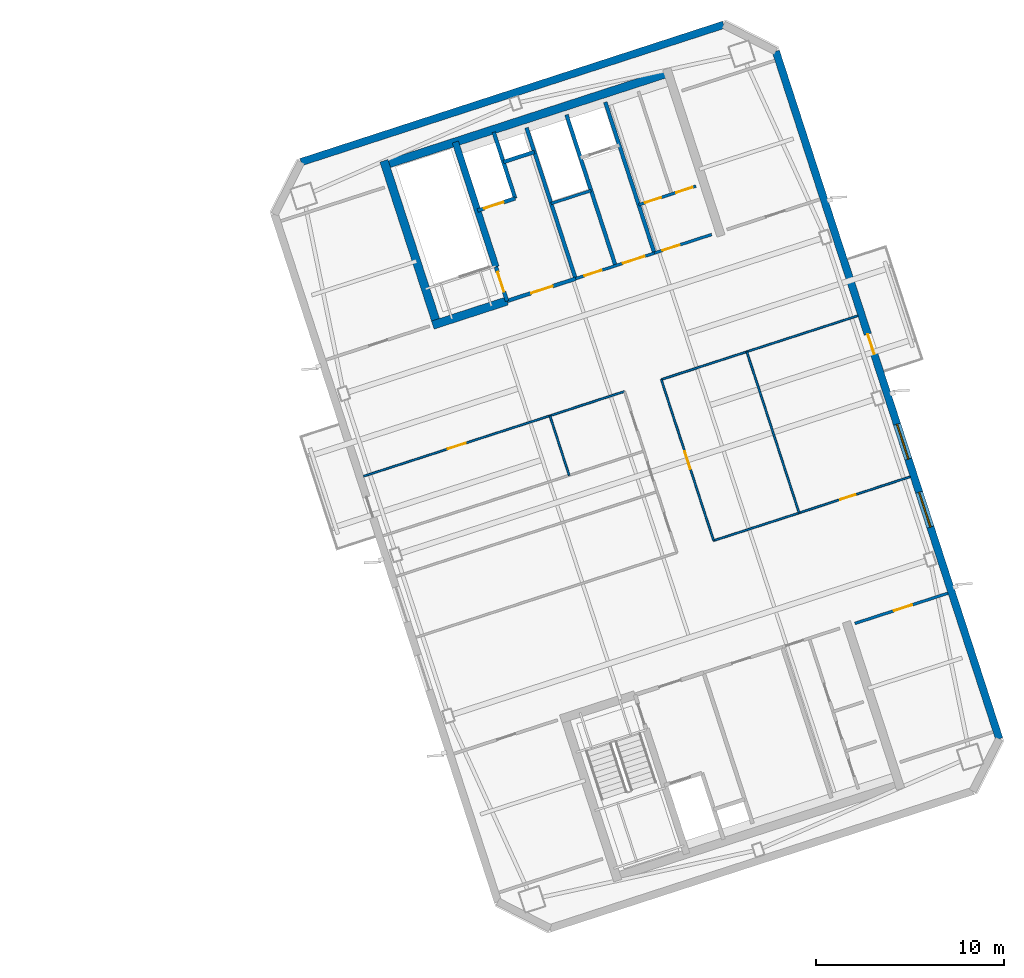
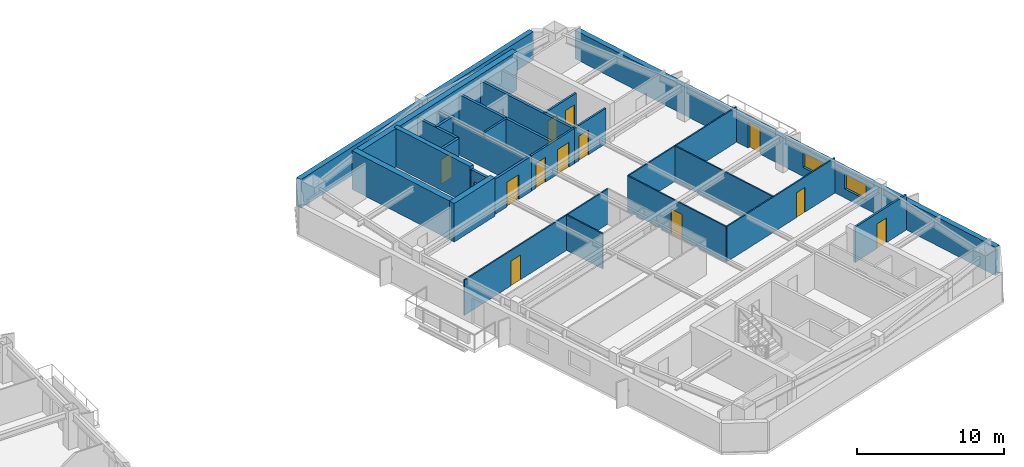
# One storey, part 9 of 17: 25 walls, 13 doors, 2 windows, 15 openings.
"""IFC4 building model written with IfcOpenShell, lengths in metres."""

from ifc_helpers import new_model, si_unit, direction, frame, frame_2d, origin, place, context, subcontext, project, spatial, rectangle, extrude, material, layer, layer_set, type_object, element, fill, save


model = new_model("IFC4")

# Units and contexts
model_context = context("Model", 3, precision=1e-05, world=origin(), true_north=direction((0.0, 1.0)))
body_context = subcontext(model_context, "Body", "Model", "MODEL_VIEW")
ifc_project = project(units=[si_unit("LENGTHUNIT", "METRE"), si_unit("AREAUNIT", "SQUARE_METRE"), si_unit("VOLUMEUNIT", "CUBIC_METRE"), si_unit("PLANEANGLEUNIT", "RADIAN"), si_unit("MASSUNIT", "GRAM", prefix="KILO")], contexts=[model_context])

# Site, building, storey
site_placement = place(None, origin())
site = spatial("IfcSite", under=ifc_project, at=site_placement, CompositionType="ELEMENT")
building_placement = place(site_placement, origin())
building = spatial("IfcBuilding", under=site, at=building_placement, Name="Qiaolan Cultural Towers", CompositionType="ELEMENT")
storey_placement = place(building_placement, frame((0.0, 0.0, 247.199951171875)))
storey = spatial("IfcBuildingStorey", under=building, at=storey_placement, Name="L67", CompositionType="ELEMENT", Elevation=247.199951171875)

# Walls
ifc_material_1 = material(Name="Concrete C50", Category="concrete")
ifc_layer_1 = layer(ifc_material_1, 0.35009765625)
ifc_layer_set_1 = layer_set([ifc_layer_1], Name="Concrete C50")
wall_type_1 = type_object("IfcWallType", Name="WL-CORE-350", PredefinedType="SHEAR", material=ifc_layer_set_1)
wall_1_placement = place(storey_placement, frame((82.513671875, 45.13134765625, 0.0), z_axis=(0.0, 0.0, 1.0), x_axis=(-0.308988790936, 0.951065679686, 0.0)))
element("IfcWall", 1, at=wall_1_placement, inside=storey, type_object=wall_type_1, Name="L67 T2-CN Stair Core Dividing Web", PredefinedType="SHEAR", context=body_context, shape_type="SweptSolid", body=[
    extrude(rectangle(XDim=6.97998046875, YDim=0.35009765625, at=frame_2d((3.489990234375, 0.0))), origin(), (0.0, 0.0, 1.0), 3.199951171875),
])
ifc_material_2 = material(Name="Concrete C50", Category="concrete")
ifc_layer_2 = layer(ifc_material_2, 0.449951171875)
ifc_layer_set_2 = layer_set([ifc_layer_2], Name="Concrete C50")
wall_type_2 = type_object("IfcWallType", Name="WL-CORE-450", PredefinedType="SHEAR", material=ifc_layer_set_2)
wall_2_placement = place(storey_placement, frame((76.414794921875, 50.489013671875, 0.0), z_axis=(0.0, 0.0, 1.0), x_axis=(0.951056810414, 0.309016089169, 0.0)))
element("IfcWall", 2, at=wall_2_placement, inside=storey, type_object=wall_type_2, Name="L67 T2-CN Outer Core Shear Wall", PredefinedType="SHEAR", context=body_context, shape_type="SweptSolid", body=[
    extrude(rectangle(XDim=16.25, YDim=0.449951171875, at=frame_2d((8.125, 0.0))), origin(), (0.0, 0.0, 1.0), 3.199951171875),
])
wall_3_placement = place(storey_placement, frame((79.4423828125, 41.899169921875, 0.0), z_axis=(0.0, 0.0, 1.0), x_axis=(-0.309035778627, 0.951050412717, 0.0)))
element("IfcWall", 3, at=wall_3_placement, inside=storey, type_object=wall_type_2, Name="L67 T2-CN West Core Shear Wall", PredefinedType="SHEAR", context=body_context, shape_type="SweptSolid", body=[
    extrude(rectangle(XDim=9.330078125, YDim=0.449951171875, at=frame_2d((4.6650390625, 0.0))), origin(), (0.0, 0.0, 1.0), 3.199951171875),
])
wall_4_placement = place(storey_placement, frame((79.15869140625, 42.04345703125, 0.0), z_axis=(0.0, 0.0, 1.0), x_axis=(0.951047485828, 0.309044785913, 0.0)))
element("IfcWall", 4, at=wall_4_placement, inside=storey, type_object=wall_type_2, Name="L67 T2-CN Stair Front Shear Wall", PredefinedType="SHEAR", context=body_context, shape_type="SweptSolid", body=[
    extrude(rectangle(XDim=4.14501953125, YDim=0.449951171875, at=frame_2d((2.072509765625, 0.0))), origin(), (0.0, 0.0, 1.0), 3.199951171875),
])
ifc_material_3 = material(Name="Precast Concrete C50 Honed Stone Pier", Category="masonry")
ifc_layer_3 = layer(ifc_material_3, 0.39990234375)
ifc_layer_set_3 = layer_set([ifc_layer_3], Name="Precast Concrete C50 Honed Stone Pier")
wall_type_3 = type_object("IfcWallType", Name="WL-EXT-PIER-400", PredefinedType="SOLIDWALL", material=ifc_layer_set_3)
wall_5_placement = place(storey_placement, frame((72.16455078125, 50.706298828125, 0.0), z_axis=(0.0, 0.0, 1.0), x_axis=(0.951058012937, 0.309012388148, 0.0)))
element("IfcWall", 5, at=wall_5_placement, inside=storey, type_object=wall_type_3, Name="L67 East Tower Precast Pier Facade Wall F3", PredefinedType="SOLIDWALL", context=body_context, shape_type="SweptSolid", body=[
    extrude(rectangle(XDim=23.60009765625, YDim=0.39990234375, at=frame_2d((11.800048828125, 0.0))), origin(), (0.0, 0.0, 1.0), 2.360107421875),
])

# Wall, openings, door, windows
wall_6_placement = place(storey_placement, frame((97.381591796875, 56.58642578125, 0.0), z_axis=(0.0, 0.0, 1.0), x_axis=(0.309016491071, -0.951056679828, 0.0)))
wall_6 = element("IfcWall", 6, at=wall_6_placement, inside=storey, type_object=wall_type_3, Name="L67 East Tower Precast Pier Facade Wall F5", PredefinedType="SOLIDWALL", context=body_context, shape_type="SweptSolid", body=[
    extrude(rectangle(XDim=38.39990234375, YDim=0.39990234375, at=frame_2d((19.199951171875, 0.0))), origin(), (0.0, 0.0, 1.0), 2.360107421875),
])
opening_1_placement = place(wall_6_placement, frame((24.625, 0.0, 0.75)))
opening_1 = element("IfcOpeningElement", 7, at=opening_1_placement, cuts=wall_6, Name="Opening W-06", PredefinedType="OPENING", context=body_context, shape_type="SweptSolid", body=[
    extrude(rectangle(XDim=1.949951171875, YDim=1.2099609375, at=frame_2d((0.97509765625, 0.60498046875))), frame((0.0, 0.2099609375, 0.0), z_axis=(0.0, -1.0, 0.0), x_axis=(1.0, 0.0, 0.0)), (0.0, 0.0, 1.0), 0.419921875),
])
opening_2_placement = place(wall_6_placement, frame((20.824951171875, 0.0, 0.75)))
opening_2 = element("IfcOpeningElement", 8, at=opening_2_placement, cuts=wall_6, Name="Opening W-06", PredefinedType="OPENING", context=body_context, shape_type="SweptSolid", body=[
    extrude(rectangle(XDim=1.949951171875, YDim=1.2099609375, at=frame_2d((0.97509765625, 0.60498046875))), frame((0.0, 0.2099609375, 0.0), z_axis=(0.0, -1.0, 0.0), x_axis=(1.0, 0.0, 0.0)), (0.0, 0.0, 1.0), 0.419921875),
])
opening_3_placement = place(wall_6_placement, frame((15.800048828125, 0.0, 0.0)))
opening_3 = element("IfcOpeningElement", 9, at=opening_3_placement, cuts=wall_6, Name="Opening BD-01", PredefinedType="OPENING", context=body_context, shape_type="SweptSolid", body=[
    extrude(rectangle(XDim=1.10009765625, YDim=2.14990234375, at=frame_2d((0.550048828125, 1.074951171875))), frame((0.0, 0.2099609375, 0.0), z_axis=(0.0, -1.0, 0.0), x_axis=(1.0, 0.0, 0.0)), (0.0, 0.0, 1.0), 0.419921875),
])
ifc_material_4 = material(Name="Thermally Broken Aluminium Glazed Terrace Door", Category="aluminium")
door_type_1 = type_object("IfcDoorType", Name="DR-BAL-1100", OperationType="NOTDEFINED", PredefinedType="DOOR", material=ifc_material_4)
door_1_placement = place(opening_3_placement, origin())
door_1 = element("IfcDoor", 10, at=door_1_placement, inside=storey, type_object=door_type_1, Name="L67 T2 East Tree Balcony Door", OperationType="SINGLE_SWING_RIGHT", OverallHeight=2.14990234375, OverallWidth=1.10009765625, PredefinedType="DOOR", context=body_context, shape_type="SweptSolid", body=[
    extrude(rectangle(XDim=1.10009765625, YDim=2.14990234375, at=frame_2d((0.550048828125, 1.074951171875))), frame((0.0, 0.02490234375, 0.0), z_axis=(0.0, -1.0, 0.0), x_axis=(1.0, 0.0, 0.0)), (0.0, 0.0, 1.0), 0.050048828125),
])
fill(opening_3, door_1)
ifc_material_5 = material(Name="Thermally Broken Aluminium Triple Low-E Glazing", Category="aluminium")
window_type = type_object("IfcWindowType", Name="WN-CHIC-1950", PartitioningType="SINGLE_PANEL", PredefinedType="WINDOW", material=ifc_material_5)
window_1_placement = place(opening_1_placement, origin())
window_1 = element("IfcWindow", 11, at=window_1_placement, inside=storey, type_object=window_type, Name="L67 T2 E Chicago Bay Window 1", OverallHeight=1.2099609375, OverallWidth=1.949951171875, PartitioningType="TRIPLE_PANEL_VERTICAL", PredefinedType="WINDOW", context=body_context, shape_type="SweptSolid", body=[
    extrude(rectangle(XDim=1.949951171875, YDim=1.2099609375, at=frame_2d((0.97509765625, 0.60498046875))), frame((0.0, 0.030029296875, 0.0), z_axis=(0.0, -1.0, 0.0), x_axis=(1.0, 0.0, 0.0)), (0.0, 0.0, 1.0), 0.06005859375),
])
fill(opening_1, window_1)
window_2_placement = place(opening_2_placement, origin())
window_2 = element("IfcWindow", 12, at=window_2_placement, inside=storey, type_object=window_type, Name="L67 T2 E Chicago Bay Window 2", OverallHeight=1.2099609375, OverallWidth=1.949951171875, PartitioningType="TRIPLE_PANEL_VERTICAL", PredefinedType="WINDOW", context=body_context, shape_type="SweptSolid", body=[
    extrude(rectangle(XDim=1.949951171875, YDim=1.2099609375, at=frame_2d((0.97509765625, 0.60498046875))), frame((0.0, 0.030029296875, 0.0), z_axis=(0.0, -1.0, 0.0), x_axis=(1.0, 0.0, 0.0)), (0.0, 0.0, 1.0), 0.06005859375),
])
fill(opening_2, window_2)

# Wall, opening, door
ifc_material_6 = material(Name="Concrete C35 Fire Wall", Category="concrete")
ifc_layer_4 = layer(ifc_material_6, 0.199951171875)
ifc_layer_set_4 = layer_set([ifc_layer_4], Name="Concrete C35 Fire Wall")
wall_type_4 = type_object("IfcWallType", Name="WL-FIRE-200", PredefinedType="PARTITIONING", material=ifc_layer_set_4)
wall_7_placement = place(storey_placement, frame((83.100830078125, 43.324462890625, 0.0), z_axis=(0.0, 0.0, 1.0), x_axis=(-0.309048298632, 0.951046344356, 0.0)))
wall_7 = element("IfcWall", 13, at=wall_7_placement, inside=storey, type_object=wall_type_4, Name="L67 T2-CN Smokeproof Stair Entry Wall", PredefinedType="PARTITIONING", context=body_context, shape_type="SweptSolid", body=[
    extrude(rectangle(XDim=1.89990234375, YDim=0.199951171875, at=frame_2d((0.949951171875, 0.0))), origin(), (0.0, 0.0, 1.0), 2.925048828125),
])
opening_4_placement = place(wall_7_placement, frame((0.52001953125, 0.0, 0.0)))
opening_4 = element("IfcOpeningElement", 14, at=opening_4_placement, cuts=wall_7, Name="Opening FD-04", PredefinedType="OPENING", context=body_context, shape_type="SweptSolid", body=[
    extrude(rectangle(XDim=1.10009765625, YDim=2.050048828125, at=frame_2d((0.550048828125, 1.02490234375))), frame((0.0, 0.10986328125, 0.0), z_axis=(0.0, -1.0, 0.0), x_axis=(1.0, 0.0, 0.0)), (0.0, 0.0, 1.0), 0.219970703125),
])
ifc_material_7 = material(Name="Galvanized Steel Command Fire Door", Category="steel")
door_type_2 = type_object("IfcDoorType", Name="DR-FD90-1100", OperationType="NOTDEFINED", PredefinedType="DOOR", material=ifc_material_7)
door_2_placement = place(opening_4_placement, origin())
door_2 = element("IfcDoor", 15, at=door_2_placement, inside=storey, type_object=door_type_2, Name="L67 ST-E2 Smokeproof Stair Fire Door", OperationType="SINGLE_SWING_LEFT", OverallHeight=2.050048828125, OverallWidth=1.10009765625, PredefinedType="DOOR", context=body_context, shape_type="SweptSolid", body=[
    extrude(rectangle(XDim=1.10009765625, YDim=2.050048828125, at=frame_2d((0.550048828125, 1.02490234375))), frame((0.0, 0.02490234375, 0.0), z_axis=(0.0, -1.0, 0.0), x_axis=(1.0, 0.0, 0.0)), (0.0, 0.0, 1.0), 0.050048828125),
])
fill(opening_4, door_2)

# Wall
wall_8_placement = place(storey_placement, frame((86.743408203125, 44.508056640625, 0.0), z_axis=(0.0, 0.0, 1.0), x_axis=(-0.309016001439, 0.951056838919, 0.0)))
element("IfcWall", 16, at=wall_8_placement, inside=storey, type_object=wall_type_4, Name="L67 T2-CN Firefighting Zone Wall", PredefinedType="PARTITIONING", context=body_context, shape_type="SweptSolid", body=[
    extrude(rectangle(XDim=8.429931640625, YDim=0.199951171875, at=frame_2d((4.21484375, 0.0))), origin(), (0.0, 0.0, 1.0), 2.56494140625),
])

# Wall, opening, door
wall_9_placement = place(storey_placement, frame((83.100830078125, 43.324462890625, 0.0), z_axis=(0.0, 0.0, 1.0), x_axis=(0.951052804469, 0.309028417967, 0.0)))
wall_9 = element("IfcWall", 17, at=wall_9_placement, inside=storey, type_object=wall_type_4, Name="L67 T2-CN Firefighting Lobby Front Wall", PredefinedType="PARTITIONING", context=body_context, shape_type="SweptSolid", body=[
    extrude(rectangle(XDim=3.830078125, YDim=0.199951171875, at=frame_2d((1.9150390625, 0.0))), origin(), (0.0, 0.0, 1.0), 2.925048828125),
])
opening_5_placement = place(wall_9_placement, frame((1.35009765625, 0.0, 0.0)))
opening_5 = element("IfcOpeningElement", 18, at=opening_5_placement, cuts=wall_9, Name="Opening FD-03", PredefinedType="OPENING", context=body_context, shape_type="SweptSolid", body=[
    extrude(rectangle(XDim=1.199951171875, YDim=2.050048828125, at=frame_2d((0.60009765625, 1.02490234375))), frame((0.0, 0.10986328125, 0.0), z_axis=(0.0, -1.0, 0.0), x_axis=(1.0, 0.0, 0.0)), (0.0, 0.0, 1.0), 0.219970703125),
])
ifc_material_8 = material(Name="Galvanized Steel Smokeproof Lobby Fire Door", Category="steel")
door_type_3 = type_object("IfcDoorType", Name="DR-FD90-1200", OperationType="NOTDEFINED", PredefinedType="DOOR", material=ifc_material_8)
door_3_placement = place(opening_5_placement, origin())
door_3 = element("IfcDoor", 19, at=door_3_placement, inside=storey, type_object=door_type_3, Name="L67 FFL-E2 Firefighting Lobby Fire Door", OperationType="SINGLE_SWING_LEFT", OverallHeight=2.050048828125, OverallWidth=1.199951171875, PredefinedType="DOOR", context=body_context, shape_type="SweptSolid", body=[
    extrude(rectangle(XDim=1.199951171875, YDim=2.050048828125, at=frame_2d((0.60009765625, 1.02490234375))), frame((0.0, 0.02490234375, 0.0), z_axis=(0.0, -1.0, 0.0), x_axis=(1.0, 0.0, 0.0)), (0.0, 0.0, 1.0), 0.050048828125),
])
fill(opening_5, door_3)

wall_10_placement = place(storey_placement, frame((81.540283203125, 48.127197265625, 0.0), z_axis=(0.0, 0.0, 1.0), x_axis=(0.951062257173, 0.308999325213, 0.0)))
wall_10 = element("IfcWall", 20, at=wall_10_placement, inside=storey, type_object=wall_type_4, Name="L67 T2-CN Firefighting Shaft Front Wall", PredefinedType="PARTITIONING", context=body_context, shape_type="SweptSolid", body=[
    extrude(rectangle(XDim=2.10009765625, YDim=0.199951171875, at=frame_2d((1.050048828125, 0.0))), origin(), (0.0, 0.0, 1.0), 2.925048828125),
])
opening_6_placement = place(wall_10_placement, frame((0.35009765625, 0.0, 0.0)))
opening_6 = element("IfcOpeningElement", 21, at=opening_6_placement, cuts=wall_10, Name="Opening LD-01", PredefinedType="OPENING", context=body_context, shape_type="SweptSolid", body=[
    extrude(rectangle(XDim=1.10009765625, YDim=2.050048828125, at=frame_2d((0.550048828125, 1.02490234375))), frame((0.0, 0.10986328125, 0.0), z_axis=(0.0, -1.0, 0.0), x_axis=(1.0, 0.0, 0.0)), (0.0, 0.0, 1.0), 0.219970703125),
])
ifc_material_9 = material(Name="Brushed Stainless Steel S30408 Centre-Parting Lift Landing Door", Category="steel")
door_type_4 = type_object("IfcDoorType", Name="DR-LIFT-1100", OperationType="NOTDEFINED", PredefinedType="DOOR", material=ifc_material_9)
door_4_placement = place(opening_6_placement, origin())
door_4 = element("IfcDoor", 22, at=door_4_placement, inside=storey, type_object=door_type_4, Name="L67 FFL-E2 Firefighting Lift Landing Door", OperationType="DOUBLE_DOOR_SLIDING", OverallHeight=2.050048828125, OverallWidth=1.10009765625, PredefinedType="DOOR", context=body_context, shape_type="SweptSolid", body=[
    extrude(rectangle(XDim=1.10009765625, YDim=2.050048828125, at=frame_2d((0.550048828125, 1.02490234375))), frame((0.0, 0.02490234375, 0.0), z_axis=(0.0, -1.0, 0.0), x_axis=(1.0, 0.0, 0.0)), (0.0, 0.0, 1.0), 0.050048828125),
])
fill(opening_6, door_4)

# Walls
wall_11_placement = place(storey_placement, frame((83.53759765625, 48.776123046875, 0.0), z_axis=(0.0, 0.0, 1.0), x_axis=(-0.3089935693, 0.951064127245, 0.0)))
element("IfcWall", 23, at=wall_11_placement, inside=storey, type_object=wall_type_4, Name="L67 T2-CN Firefighting Hoistway East Wall", PredefinedType="PARTITIONING", context=body_context, shape_type="SweptSolid", body=[
    extrude(rectangle(XDim=3.7001953125, YDim=0.199951171875, at=frame_2d((1.85009765625, 0.0))), origin(), (0.0, 0.0, 1.0), 2.925048828125),
])
wall_12_placement = place(storey_placement, frame((82.910400390625, 50.706787109375, 0.0), z_axis=(0.0, 0.0, 1.0), x_axis=(0.951041328149, 0.309063734775, 0.0)))
element("IfcWall", 24, at=wall_12_placement, inside=storey, type_object=wall_type_4, Name="L67 T2-CN Pressurization Shaft Front Wall", PredefinedType="PARTITIONING", context=body_context, shape_type="SweptSolid", body=[
    extrude(rectangle(XDim=1.72998046875, YDim=0.199951171875, at=frame_2d((0.864990234375, 0.0))), origin(), (0.0, 0.0, 1.0), 2.925048828125),
])
wall_13_placement = place(storey_placement, frame((90.92822265625, 45.86767578125, 0.0), z_axis=(0.0, 0.0, 1.0), x_axis=(-0.309042196757, 0.951048327176, 0.0)))
element("IfcWall", 25, at=wall_13_placement, inside=storey, type_object=wall_type_4, Name="L67 T2-CN Lift Core East Wall", PredefinedType="PARTITIONING", context=body_context, shape_type="SweptSolid", body=[
    extrude(rectangle(XDim=8.429931640625, YDim=0.199951171875, at=frame_2d((4.21484375, 0.0))), origin(), (0.0, 0.0, 1.0), 2.925048828125),
])
wall_14_placement = place(storey_placement, frame((88.8642578125, 45.197021484375, 0.0), z_axis=(0.0, 0.0, 1.0), x_axis=(-0.309007490203, 0.951059604335, 0.0)))
element("IfcWall", 26, at=wall_14_placement, inside=storey, type_object=wall_type_4, Name="L67 T2-CN Sky Shuttle Lift Zone Wall", PredefinedType="PARTITIONING", context=body_context, shape_type="SweptSolid", body=[
    extrude(rectangle(XDim=8.43017578125, YDim=0.199951171875, at=frame_2d((4.215087890625, 0.0))), origin(), (0.0, 0.0, 1.0), 2.925048828125),
])

# Wall, opening, door
ifc_material_10 = material(Name="Acoustic Double-Glazed Partition Frame", Category="glass")
ifc_layer_5 = layer(ifc_material_10, 0.10009765625)
ifc_layer_set_5 = layer_set([ifc_layer_5], Name="Acoustic Double-Glazed Partition Frame")
wall_type_5 = type_object("IfcWallType", Name="WL-GLAZED-100", PredefinedType="MOVABLE", material=ifc_layer_set_5)
wall_15_placement = place(storey_placement, frame((94.077392578125, 30.59326171875, 0.0), z_axis=(0.0, 0.0, 1.0), x_axis=(0.951058423821, 0.309011123554, 0.0)))
wall_15 = element("IfcWall", 27, at=wall_15_placement, inside=storey, type_object=wall_type_5, Name="L67 T2 South Foyer East Wall", PredefinedType="MOVABLE", context=body_context, shape_type="SweptSolid", body=[
    extrude(rectangle(XDim=10.974853515625, YDim=0.10009765625, at=frame_2d((5.4873046875, 0.0))), origin(), (0.0, 0.0, 1.0), 2.925048828125),
])
opening_7_placement = place(wall_15_placement, frame((7.06494140625, 0.0, 0.0)))
opening_7 = element("IfcOpeningElement", 28, at=opening_7_placement, cuts=wall_15, Name="Opening ID-09", PredefinedType="OPENING", context=body_context, shape_type="SweptSolid", body=[
    extrude(rectangle(XDim=0.85009765625, YDim=2.050048828125, at=frame_2d((0.425048828125, 1.02490234375))), frame((0.0, 0.06005859375, 0.0), z_axis=(0.0, -1.0, 0.0), x_axis=(1.0, 0.0, 0.0)), (0.0, 0.0, 1.0), 0.1201171875),
])
ifc_material_11 = material(Name="Moisture-Resistant Laminate Utility Door", Category="timber")
door_type_5 = type_object("IfcDoorType", Name="DR-INT-850", OperationType="NOTDEFINED", PredefinedType="DOOR", material=ifc_material_11)
door_5_placement = place(opening_7_placement, origin())
door_5 = element("IfcDoor", 29, at=door_5_placement, inside=storey, type_object=door_type_5, Name="L67 T2 Sky Club Lounge Door", OperationType="SINGLE_SWING_RIGHT", OverallHeight=2.050048828125, OverallWidth=0.85009765625, PredefinedType="DOOR", context=body_context, shape_type="SweptSolid", body=[
    extrude(rectangle(XDim=0.85009765625, YDim=2.050048828125, at=frame_2d((0.425048828125, 1.02490234375))), frame((0.0, 0.02490234375, 0.0), z_axis=(0.0, -1.0, 0.0), x_axis=(1.0, 0.0, 0.0)), (0.0, 0.0, 1.0), 0.050048828125),
])
fill(opening_7, door_5)

wall_16_placement = place(storey_placement, frame((75.48486328125, 34.015380859375, 0.0), z_axis=(0.0, 0.0, 1.0), x_axis=(0.951056346912, 0.309017515681, 0.0)))
wall_16 = element("IfcWall", 30, at=wall_16_placement, inside=storey, type_object=wall_type_5, Name="L67 T2 North Foyer West Wall", PredefinedType="MOVABLE", context=body_context, shape_type="SweptSolid", body=[
    extrude(rectangle(XDim=14.574951171875, YDim=0.10009765625, at=frame_2d((7.28759765625, 0.0))), origin(), (0.0, 0.0, 1.0), 2.925048828125),
])
opening_8_placement = place(wall_16_placement, frame((4.699951171875, 0.0, 0.0)))
opening_8 = element("IfcOpeningElement", 31, at=opening_8_placement, cuts=wall_16, Name="Opening ID-04", PredefinedType="OPENING", context=body_context, shape_type="SweptSolid", body=[
    extrude(rectangle(XDim=1.0, YDim=2.050048828125, at=frame_2d((0.5, 1.02490234375))), frame((0.0, 0.06005859375, 0.0), z_axis=(0.0, -1.0, 0.0), x_axis=(1.0, 0.0, 0.0)), (0.0, 0.0, 1.0), 0.1201171875),
])
ifc_material_12 = material(Name="Oak Veneer Acoustic Office Door", Category="timber")
door_type_6 = type_object("IfcDoorType", Name="DR-INT-1000", OperationType="NOTDEFINED", PredefinedType="DOOR", material=ifc_material_12)
door_6_placement = place(opening_8_placement, origin())
door_6 = element("IfcDoor", 32, at=door_6_placement, inside=storey, type_object=door_type_6, Name="L67 T2 Edition Bookshop Door", OperationType="SINGLE_SWING_LEFT", OverallHeight=2.050048828125, OverallWidth=1.0, PredefinedType="DOOR", context=body_context, shape_type="SweptSolid", body=[
    extrude(rectangle(XDim=1.0, YDim=2.050048828125, at=frame_2d((0.5, 1.02490234375))), frame((0.0, 0.02490234375, 0.0), z_axis=(0.0, -1.0, 0.0), x_axis=(1.0, 0.0, 0.0)), (0.0, 0.0, 1.0), 0.050048828125),
])
fill(opening_8, door_6)

# Wall
wall_17_placement = place(storey_placement, frame((91.296142578125, 39.15283203125, 0.0), z_axis=(0.0, 0.0, 1.0), x_axis=(0.951058423821, 0.309011123554, 0.0)))
element("IfcWall", 33, at=wall_17_placement, inside=storey, type_object=wall_type_5, Name="L67 T2 North Foyer East Wall", PredefinedType="MOVABLE", context=body_context, shape_type="SweptSolid", body=[
    extrude(rectangle(XDim=10.974853515625, YDim=0.10009765625, at=frame_2d((5.4873046875, 0.0))), origin(), (0.0, 0.0, 1.0), 2.925048828125),
])

# Wall, opening, door
wall_18_placement = place(storey_placement, frame((94.077392578125, 30.59326171875, 0.0), z_axis=(0.0, 0.0, 1.0), x_axis=(-0.309024734286, 0.951054001411, 0.0)))
wall_18 = element("IfcWall", 34, at=wall_18_placement, inside=storey, type_object=wall_type_5, Name="L67 T2 Central Spine East Wall", PredefinedType="MOVABLE", context=body_context, shape_type="SweptSolid", body=[
    extrude(rectangle(XDim=9.0, YDim=0.10009765625, at=frame_2d((4.5, 0.0))), origin(), (0.0, 0.0, 1.0), 2.925048828125),
])
opening_9_placement = place(wall_18_placement, frame((4.0, 0.0, 0.0)))
opening_9 = element("IfcOpeningElement", 35, at=opening_9_placement, cuts=wall_18, Name="Opening ID-04", PredefinedType="OPENING", context=body_context, shape_type="SweptSolid", body=[
    extrude(rectangle(XDim=1.0, YDim=2.050048828125, at=frame_2d((0.5, 1.02490234375))), frame((0.0, 0.06005859375, 0.0), z_axis=(0.0, -1.0, 0.0), x_axis=(1.0, 0.0, 0.0)), (0.0, 0.0, 1.0), 0.1201171875),
])
door_7_placement = place(opening_9_placement, origin())
door_7 = element("IfcDoor", 36, at=door_7_placement, inside=storey, type_object=door_type_6, Name="L67 T2 Sky Dining Kitchen Door", OperationType="SINGLE_SWING_LEFT", OverallHeight=2.050048828125, OverallWidth=1.0, PredefinedType="DOOR", context=body_context, shape_type="SweptSolid", body=[
    extrude(rectangle(XDim=1.0, YDim=2.050048828125, at=frame_2d((0.5, 1.02490234375))), frame((0.0, 0.02490234375, 0.0), z_axis=(0.0, -1.0, 0.0), x_axis=(1.0, 0.0, 0.0)), (0.0, 0.0, 1.0), 0.050048828125),
])
fill(opening_9, door_7)

# Walls
wall_19_placement = place(storey_placement, frame((86.40478515625, 34.06201171875, 0.0), z_axis=(0.0, 0.0, 1.0), x_axis=(-0.309026391202, 0.95105346303, 0.0)))
element("IfcWall", 37, at=wall_19_placement, inside=storey, type_object=wall_type_5, Name="L67 T2 Interior Wall", PredefinedType="MOVABLE", context=body_context, shape_type="SweptSolid", body=[
    extrude(rectangle(XDim=3.330078125, YDim=0.10009765625, at=frame_2d((1.6650390625, 0.0))), origin(), (0.0, 0.0, 1.0), 2.925048828125),
])
wall_20_placement = place(storey_placement, frame((98.61865234375, 32.06884765625, 0.0), z_axis=(0.0, 0.0, 1.0), x_axis=(-0.309032706929, 0.951051410833, 0.0)))
element("IfcWall", 38, at=wall_20_placement, inside=storey, type_object=wall_type_5, Name="L67 T2 Interior Wall", PredefinedType="MOVABLE", context=body_context, shape_type="SweptSolid", body=[
    extrude(rectangle(XDim=8.999755859375, YDim=0.10009765625, at=frame_2d((4.5, 0.0))), origin(), (0.0, 0.0, 1.0), 2.925048828125),
])

# Wall, openings, doors
ifc_material_13 = material(Name="Autoclaved Aerated Concrete Block B06", Category="concrete")
ifc_layer_6 = layer(ifc_material_13, 0.14990234375)
ifc_layer_set_6 = layer_set([ifc_layer_6], Name="Autoclaved Aerated Concrete Block B06")
wall_type_6 = type_object("IfcWallType", Name="WL-PART-150", PredefinedType="PARTITIONING", material=ifc_layer_set_6)
wall_21_placement = place(storey_placement, frame((86.743408203125, 44.508056640625, 0.0), z_axis=(0.0, 0.0, 1.0), x_axis=(0.951063829732, 0.308994485023, 0.0)))
wall_21 = element("IfcWall", 39, at=wall_21_placement, inside=storey, type_object=wall_type_6, Name="L67 T2-CN High-Zone Lift Lobby Wall", PredefinedType="PARTITIONING", context=body_context, shape_type="SweptSolid", body=[
    extrude(rectangle(XDim=4.400146484375, YDim=0.14990234375, at=frame_2d((2.2001953125, 0.0))), origin(), (0.0, 0.0, 1.0), 2.925048828125),
])
opening_10_placement = place(wall_21_placement, frame((0.5, 0.0, 0.0)))
opening_10 = element("IfcOpeningElement", 40, at=opening_10_placement, cuts=wall_21, Name="Opening ID-05", PredefinedType="OPENING", context=body_context, shape_type="SweptSolid", body=[
    extrude(rectangle(XDim=0.949951171875, YDim=2.050048828125, at=frame_2d((0.47509765625, 1.02490234375))), frame((0.0, 0.0849609375, 0.0), z_axis=(0.0, -1.0, 0.0), x_axis=(1.0, 0.0, 0.0)), (0.0, 0.0, 1.0), 0.169921875),
])
opening_11_placement = place(wall_21_placement, frame((2.64990234375, 0.0, 0.0)))
opening_11 = element("IfcOpeningElement", 41, at=opening_11_placement, cuts=wall_21, Name="Opening FD-06", PredefinedType="OPENING", context=body_context, shape_type="SweptSolid", body=[
    extrude(rectangle(XDim=1.199951171875, YDim=2.050048828125, at=frame_2d((0.60009765625, 1.02490234375))), frame((0.0, 0.0849609375, 0.0), z_axis=(0.0, -1.0, 0.0), x_axis=(1.0, 0.0, 0.0)), (0.0, 0.0, 1.0), 0.169921875),
])
ifc_material_14 = material(Name="Painted Steel Plant Fire Door", Category="steel")
door_type_7 = type_object("IfcDoorType", Name="DR-FD60-1200", OperationType="NOTDEFINED", PredefinedType="DOOR", material=ifc_material_14)
door_8_placement = place(opening_11_placement, origin())
door_8 = element("IfcDoor", 42, at=door_8_placement, inside=storey, type_object=door_type_7, Name="L67 Sky Shuttle Lift Lobby Door", OperationType="SINGLE_SWING_RIGHT", OverallHeight=2.050048828125, OverallWidth=1.199951171875, PredefinedType="DOOR", context=body_context, shape_type="SweptSolid", body=[
    extrude(rectangle(XDim=1.199951171875, YDim=2.050048828125, at=frame_2d((0.60009765625, 1.02490234375))), frame((0.0, 0.02490234375, 0.0), z_axis=(0.0, -1.0, 0.0), x_axis=(1.0, 0.0, 0.0)), (0.0, 0.0, 1.0), 0.050048828125),
])
fill(opening_11, door_8)
ifc_material_15 = material(Name="Fire-Rated Laminate Accessible Core Door", Category="timber")
door_type_8 = type_object("IfcDoorType", Name="DR-INT-950", OperationType="NOTDEFINED", PredefinedType="DOOR", material=ifc_material_15)
door_9_placement = place(opening_10_placement, origin())
door_9 = element("IfcDoor", 43, at=door_9_placement, inside=storey, type_object=door_type_8, Name="L67 Reclaimed Server Room Door", OperationType="SINGLE_SWING_LEFT", OverallHeight=2.050048828125, OverallWidth=0.949951171875, PredefinedType="DOOR", context=body_context, shape_type="SweptSolid", body=[
    extrude(rectangle(XDim=0.949951171875, YDim=2.050048828125, at=frame_2d((0.47509765625, 1.02490234375))), frame((0.0, 0.02490234375, 0.0), z_axis=(0.0, -1.0, 0.0), x_axis=(1.0, 0.0, 0.0)), (0.0, 0.0, 1.0), 0.050048828125),
])
fill(opening_10, door_9)

# Wall
wall_22_placement = place(storey_placement, frame((85.445556640625, 48.50244140625, 0.0), z_axis=(0.0, 0.0, 1.0), x_axis=(0.951075093106, 0.308959814982, 0.0)))
element("IfcWall", 44, at=wall_22_placement, inside=storey, type_object=wall_type_6, Name="L67 T2-CN High-Zone Reclaimed Split", PredefinedType="PARTITIONING", context=body_context, shape_type="SweptSolid", body=[
    extrude(rectangle(XDim=2.22998046875, YDim=0.14990234375, at=frame_2d((1.114990234375, 0.0))), origin(), (0.0, 0.0, 1.0), 2.925048828125),
])

# Wall, opening, door
wall_23_placement = place(storey_placement, frame((90.92822265625, 45.86767578125, 0.0), z_axis=(0.0, 0.0, 1.0), x_axis=(0.951059297078, 0.309008435874, 0.0)))
wall_23 = element("IfcWall", 45, at=wall_23_placement, inside=storey, type_object=wall_type_6, Name="L67 T2-CN Sanitary Core Front Wall", PredefinedType="PARTITIONING", context=body_context, shape_type="SweptSolid", body=[
    extrude(rectangle(XDim=3.19970703125, YDim=0.14990234375, at=frame_2d((1.599853515625, 0.0))), origin(), (0.0, 0.0, 1.0), 2.925048828125),
])
opening_12_placement = place(wall_23_placement, frame((0.449951171875, 0.0, 0.0)))
opening_12 = element("IfcOpeningElement", 46, at=opening_12_placement, cuts=wall_23, Name="Opening ID-05", PredefinedType="OPENING", context=body_context, shape_type="SweptSolid", body=[
    extrude(rectangle(XDim=0.949951171875, YDim=2.050048828125, at=frame_2d((0.47509765625, 1.02490234375))), frame((0.0, 0.0849609375, 0.0), z_axis=(0.0, -1.0, 0.0), x_axis=(1.0, 0.0, 0.0)), (0.0, 0.0, 1.0), 0.169921875),
])
door_10_placement = place(opening_12_placement, origin())
door_10 = element("IfcDoor", 47, at=door_10_placement, inside=storey, type_object=door_type_8, Name="L67 Sanitary Vestibule Door", OperationType="SINGLE_SWING_LEFT", OverallHeight=2.050048828125, OverallWidth=0.949951171875, PredefinedType="DOOR", context=body_context, shape_type="SweptSolid", body=[
    extrude(rectangle(XDim=0.949951171875, YDim=2.050048828125, at=frame_2d((0.47509765625, 1.02490234375))), frame((0.0, 0.02490234375, 0.0), z_axis=(0.0, -1.0, 0.0), x_axis=(1.0, 0.0, 0.0)), (0.0, 0.0, 1.0), 0.050048828125),
])
fill(opening_12, door_10)

# Wall, openings, doors
wall_24_placement = place(storey_placement, frame((90.09375, 48.435546875, 0.0), z_axis=(0.0, 0.0, 1.0), x_axis=(0.951066581729, 0.308986014439, 0.0)))
wall_24 = element("IfcWall", 48, at=wall_24_placement, inside=storey, type_object=wall_type_6, Name="L67 T2-CN Restroom Vestibule Wall", PredefinedType="PARTITIONING", context=body_context, shape_type="SweptSolid", body=[
    extrude(rectangle(XDim=3.199951171875, YDim=0.14990234375, at=frame_2d((1.60009765625, 0.0))), origin(), (0.0, 0.0, 1.0), 2.925048828125),
])
opening_13_placement = place(wall_24_placement, frame((0.35009765625, 0.0, 0.0)))
opening_13 = element("IfcOpeningElement", 49, at=opening_13_placement, cuts=wall_24, Name="Opening ID-06", PredefinedType="OPENING", context=body_context, shape_type="SweptSolid", body=[
    extrude(rectangle(XDim=0.89990234375, YDim=2.050048828125, at=frame_2d((0.449951171875, 1.02490234375))), frame((0.0, 0.0849609375, 0.0), z_axis=(0.0, -1.0, 0.0), x_axis=(1.0, 0.0, 0.0)), (0.0, 0.0, 1.0), 0.169921875),
])
opening_14_placement = place(wall_24_placement, frame((2.10009765625, 0.0, 0.0)))
opening_14 = element("IfcOpeningElement", 50, at=opening_14_placement, cuts=wall_24, Name="Opening ID-06", PredefinedType="OPENING", context=body_context, shape_type="SweptSolid", body=[
    extrude(rectangle(XDim=0.89990234375, YDim=2.050048828125, at=frame_2d((0.449951171875, 1.02490234375))), frame((0.0, 0.0849609375, 0.0), z_axis=(0.0, -1.0, 0.0), x_axis=(1.0, 0.0, 0.0)), (0.0, 0.0, 1.0), 0.169921875),
])
ifc_material_16 = material(Name="Fire-Rated Laminate Core Service Door", Category="timber")
door_type_9 = type_object("IfcDoorType", Name="DR-INT-900", OperationType="NOTDEFINED", PredefinedType="DOOR", material=ifc_material_16)
door_11_placement = place(opening_13_placement, origin())
door_11 = element("IfcDoor", 51, at=door_11_placement, inside=storey, type_object=door_type_9, Name="L67 Men Restroom Door", OperationType="SINGLE_SWING_LEFT", OverallHeight=2.050048828125, OverallWidth=0.89990234375, PredefinedType="DOOR", context=body_context, shape_type="SweptSolid", body=[
    extrude(rectangle(XDim=0.89990234375, YDim=2.050048828125, at=frame_2d((0.449951171875, 1.02490234375))), frame((0.0, 0.02490234375, 0.0), z_axis=(0.0, -1.0, 0.0), x_axis=(1.0, 0.0, 0.0)), (0.0, 0.0, 1.0), 0.050048828125),
])
fill(opening_13, door_11)
door_12_placement = place(opening_14_placement, origin())
door_12 = element("IfcDoor", 52, at=door_12_placement, inside=storey, type_object=door_type_9, Name="L67 Accessible & Women Restroom Door", OperationType="SINGLE_SWING_RIGHT", OverallHeight=2.050048828125, OverallWidth=0.89990234375, PredefinedType="DOOR", context=body_context, shape_type="SweptSolid", body=[
    extrude(rectangle(XDim=0.89990234375, YDim=2.050048828125, at=frame_2d((0.449951171875, 1.02490234375))), frame((0.0, 0.02490234375, 0.0), z_axis=(0.0, -1.0, 0.0), x_axis=(1.0, 0.0, 0.0)), (0.0, 0.0, 1.0), 0.050048828125),
])
fill(opening_14, door_12)

# Wall, opening, door
wall_25_placement = place(storey_placement, frame((101.578369140625, 26.196044921875, 0.0), z_axis=(0.0, 0.0, 1.0), x_axis=(0.951064427824, 0.308992644131, 0.0)))
wall_25 = element("IfcWall", 53, at=wall_25_placement, inside=storey, type_object=wall_type_6, Name="L67 T2 Flank Front FLK-SE", PredefinedType="PARTITIONING", context=body_context, shape_type="SweptSolid", body=[
    extrude(rectangle(XDim=5.19970703125, YDim=0.14990234375, at=frame_2d((2.599853515625, 0.0))), origin(), (0.0, 0.0, 1.0), 2.925048828125),
])
opening_15_placement = place(wall_25_placement, frame((2.18408203125, 0.0, 0.0)))
opening_15 = element("IfcOpeningElement", 54, at=opening_15_placement, cuts=wall_25, Name="Opening ID-04", PredefinedType="OPENING", context=body_context, shape_type="SweptSolid", body=[
    extrude(rectangle(XDim=1.0, YDim=2.050048828125, at=frame_2d((0.5, 1.02490234375))), frame((0.0, 0.0849609375, 0.0), z_axis=(0.0, -1.0, 0.0), x_axis=(1.0, 0.0, 0.0)), (0.0, 0.0, 1.0), 0.169921875),
])
door_13_placement = place(opening_15_placement, origin())
door_13 = element("IfcDoor", 55, at=door_13_placement, inside=storey, type_object=door_type_6, Name="L67 T2 Corner Studio Door", OperationType="SINGLE_SWING_LEFT", OverallHeight=2.050048828125, OverallWidth=1.0, PredefinedType="DOOR", context=body_context, shape_type="SweptSolid", body=[
    extrude(rectangle(XDim=1.0, YDim=2.050048828125, at=frame_2d((0.5, 1.02490234375))), frame((0.0, 0.02490234375, 0.0), z_axis=(0.0, -1.0, 0.0), x_axis=(1.0, 0.0, 0.0)), (0.0, 0.0, 1.0), 0.050048828125),
])
fill(opening_15, door_13)

save(model, "model.ifc")
